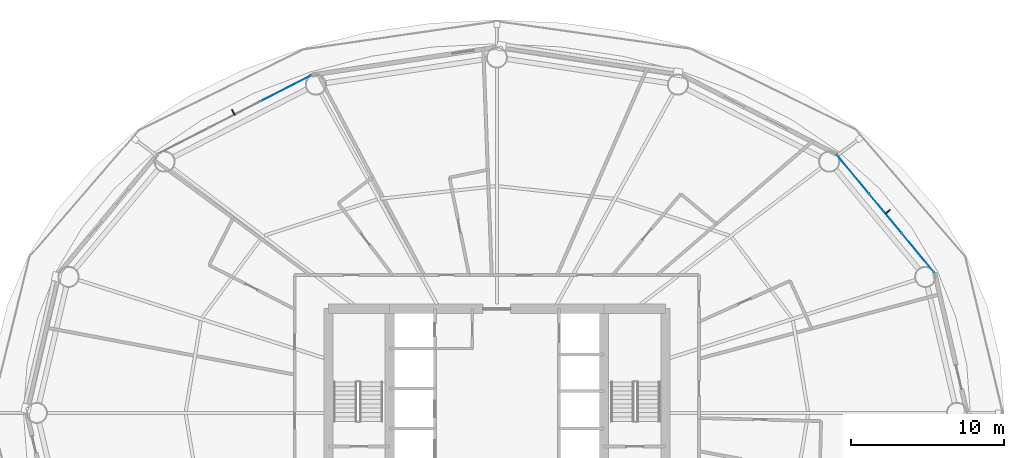
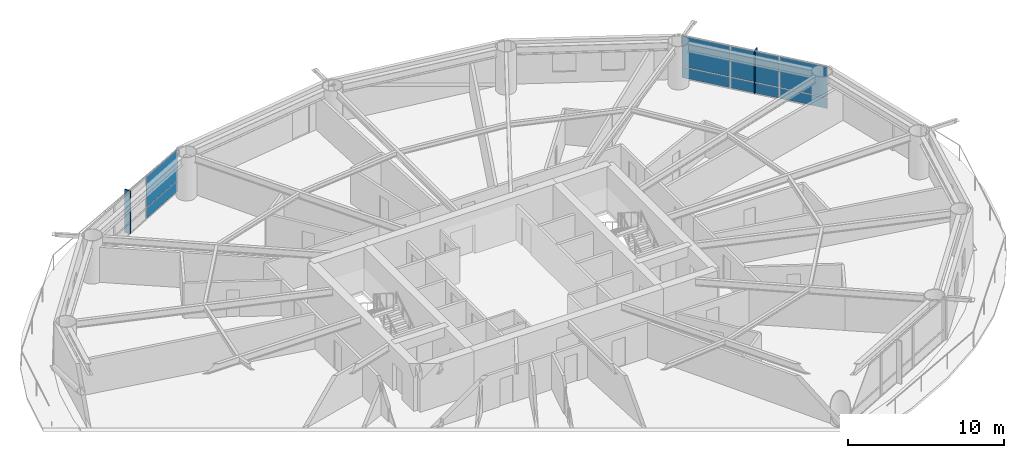
# One storey, part 18 of 26: 10 plates, 2 elements without a shape of their own.
"""IFC4 building model written with IfcOpenShell, lengths in metres."""

from ifc_helpers import new_model, si_unit, direction, frame, origin, origin_2d, place, context, subcontext, project, spatial, rectangle, extrude, material, layer, layer_set, type_object, element, aggregate, save


model = new_model("IFC4")

# Units and contexts
model_context = context("Model", 3, precision=1e-05, world=origin(), true_north=direction((0.0, 1.0)))
body_context = subcontext(model_context, "Body", "Model", "MODEL_VIEW")
ifc_project = project(units=[si_unit("LENGTHUNIT", "METRE"), si_unit("AREAUNIT", "SQUARE_METRE"), si_unit("VOLUMEUNIT", "CUBIC_METRE"), si_unit("PLANEANGLEUNIT", "RADIAN"), si_unit("MASSUNIT", "GRAM", prefix="KILO")], contexts=[model_context])

# Site, building, storey
site_placement = place(None, origin())
site = spatial("IfcSite", under=ifc_project, at=site_placement, CompositionType="ELEMENT")
building_placement = place(site_placement, origin())
building = spatial("IfcBuilding", under=site, at=building_placement, Name="Sarneth Arch Tower", CompositionType="ELEMENT")
storey_placement = place(building_placement, frame((0.0, 0.0, 39.0)))
storey = spatial("IfcBuildingStorey", under=building, at=storey_placement, Name="L08", CompositionType="ELEMENT", Elevation=39.0)

# Curtain wall, plates
ifc_material_1 = material(Name="Anodised aluminium Type AA25 and solar-control low-e laminated IGU", Category="aluminium")
ifc_layer_1 = layer(ifc_material_1, 0.159912109375)
ifc_layer_set_1 = layer_set([ifc_layer_1], Name="Anodised aluminium Type AA25 and solar-control low-e laminated IGU")
curtain_wall_type = type_object("IfcCurtainWallType", Name="CW-HOTEL-LOW", PredefinedType="NOTDEFINED", material=ifc_layer_set_1)
curtain_wall_1_placement = place(storey_placement, origin())
curtain_wall_1 = element("IfcCurtainWall", 1, at=curtain_wall_1_placement, inside=storey, type_object=curtain_wall_type, Name="L08 Unitised curtain wall facet 02", PredefinedType="NOTDEFINED")
ifc_material_2 = material(Name="Solar-control low-e laminated IGU", Category="glass")
ifc_layer_2 = layer(ifc_material_2, 0.028076171875)
ifc_layer_set_2 = layer_set([ifc_layer_2], Name="Solar-control low-e laminated IGU")
plate_type_1 = type_object("IfcPlateType", Name="CW-PANEL", PredefinedType="CURTAIN_PANEL", material=ifc_layer_set_2)
plate_1_placement = place(storey_placement, frame((75.503662109375, 52.441162109375, 0.06005859375), z_axis=(0.0, 0.0, 1.0), x_axis=(-0.637291340827, 0.770622960278, 0.0)))
plate_1 = element("IfcPlate", 2, at=plate_1_placement, type_object=plate_type_1, Name="Curtain wall glazed vision pane CW-L08-F02/P00-00", PredefinedType="CURTAIN_PANEL", context=body_context, shape_type="SweptSolid", body=[
    extrude(rectangle(XDim=3.260986328125, YDim=0.028076171875, at=origin_2d()), origin(), (0.0, 0.0, 1.0), 0.81005859375),
])
plate_2_placement = place(storey_placement, frame((75.503662109375, 52.441162109375, 0.93017578125), z_axis=(0.0, 0.0, 1.0), x_axis=(-0.637291340827, 0.770622960278, 0.0)))
plate_2 = element("IfcPlate", 3, at=plate_2_placement, type_object=plate_type_1, Name="Curtain wall glazed vision pane CW-L08-F02/P00-01", PredefinedType="CURTAIN_PANEL", context=body_context, shape_type="SweptSolid", body=[
    extrude(rectangle(XDim=3.260986328125, YDim=0.028076171875, at=origin_2d()), origin(), (0.0, 0.0, 1.0), 2.389892578125),
])
plate_3_placement = place(storey_placement, frame((73.37744140625, 55.01220703125, 0.06005859375), z_axis=(0.0, 0.0, 1.0), x_axis=(-0.637291340827, 0.770622960278, 0.0)))
plate_3 = element("IfcPlate", 4, at=plate_3_placement, type_object=plate_type_1, Name="Curtain wall glazed vision pane CW-L08-F02/P01-00", PredefinedType="CURTAIN_PANEL", context=body_context, shape_type="SweptSolid", body=[
    extrude(rectangle(XDim=3.291015625, YDim=0.028076171875, at=origin_2d()), origin(), (0.0, 0.0, 1.0), 0.81005859375),
])
plate_4_placement = place(storey_placement, frame((73.37744140625, 55.01220703125, 0.93017578125), z_axis=(0.0, 0.0, 1.0), x_axis=(-0.637291340827, 0.770622960278, 0.0)))
plate_4 = element("IfcPlate", 5, at=plate_4_placement, type_object=plate_type_1, Name="Curtain wall glazed vision pane CW-L08-F02/P01-01", PredefinedType="CURTAIN_PANEL", context=body_context, shape_type="SweptSolid", body=[
    extrude(rectangle(XDim=3.291015625, YDim=0.028076171875, at=origin_2d()), origin(), (0.0, 0.0, 1.0), 2.389892578125),
])
plate_5_placement = place(storey_placement, frame((71.25146484375, 57.5830078125, 0.06005859375), z_axis=(0.0, 0.0, 1.0), x_axis=(-0.637291340827, 0.770622960278, 0.0)))
plate_5 = element("IfcPlate", 6, at=plate_5_placement, type_object=plate_type_1, Name="Curtain wall glazed vision pane CW-L08-F02/P02-00", PredefinedType="CURTAIN_PANEL", context=body_context, shape_type="SweptSolid", body=[
    extrude(rectangle(XDim=3.260986328125, YDim=0.028076171875, at=origin_2d()), origin(), (0.0, 0.0, 1.0), 0.81005859375),
])
plate_6_placement = place(storey_placement, frame((71.25146484375, 57.5830078125, 0.93017578125), z_axis=(0.0, 0.0, 1.0), x_axis=(-0.637291340827, 0.770622960278, 0.0)))
plate_6 = element("IfcPlate", 7, at=plate_6_placement, type_object=plate_type_1, Name="Curtain wall glazed vision pane CW-L08-F02/P02-01", PredefinedType="CURTAIN_PANEL", context=body_context, shape_type="SweptSolid", body=[
    extrude(rectangle(XDim=3.260986328125, YDim=0.028076171875, at=origin_2d()), origin(), (0.0, 0.0, 1.0), 2.389892578125),
])
aggregate(curtain_wall_1, [plate_1, plate_2, plate_3, plate_4, plate_5, plate_6])

curtain_wall_2_placement = place(storey_placement, origin())
curtain_wall_2 = element("IfcCurtainWall", 8, at=curtain_wall_2_placement, inside=storey, type_object=curtain_wall_type, Name="L08 Unitised curtain wall facet 06", PredefinedType="NOTDEFINED")
plate_7_placement = place(storey_placement, frame((34.22607421875, 63.192626953125, 0.06005859375), z_axis=(0.0, 0.0, 1.0), x_axis=(-0.889854100456, -0.456245197127, 0.0)))
plate_7 = element("IfcPlate", 9, at=plate_7_placement, type_object=plate_type_1, Name="Curtain wall glazed vision pane CW-L08-F06/P00-00", PredefinedType="CURTAIN_PANEL", context=body_context, shape_type="SweptSolid", body=[
    extrude(rectangle(XDim=3.69189453125, YDim=0.028076171875, at=origin_2d()), origin(), (0.0, 0.0, 1.0), 0.81005859375),
])
plate_8_placement = place(storey_placement, frame((34.22607421875, 63.192626953125, 0.93017578125), z_axis=(0.0, 0.0, 1.0), x_axis=(-0.889854100456, -0.456245197127, 0.0)))
plate_8 = element("IfcPlate", 10, at=plate_8_placement, type_object=plate_type_1, Name="Curtain wall glazed vision pane CW-L08-F06/P00-01", PredefinedType="CURTAIN_PANEL", context=body_context, shape_type="SweptSolid", body=[
    extrude(rectangle(XDim=3.69189453125, YDim=0.028076171875, at=origin_2d()), origin(), (0.0, 0.0, 1.0), 2.389892578125),
])
aggregate(curtain_wall_2, [plate_7, plate_8])

# Plates
ifc_material_3 = material(Name="Extruded glazed terracotta baguette fin on Aluminium 6063-T6 carrier", Category="masonry")
ifc_layer_3 = layer(ifc_material_3, 0.080078125)
ifc_layer_set_3 = layer_set([ifc_layer_3], Name="Extruded glazed terracotta baguette fin on Aluminium 6063-T6 carrier")
plate_type_2 = type_object("IfcPlateType", Name="SHADE-TERRA-FIN", PredefinedType="SHEET", material=ifc_layer_set_3)
for number, where, z_axis, x_axis, name in (
    (11, (73.508544921875, 55.120361328125, 0.009765625), (0.0, 0.0, 1.0), (0.770624482513, 0.637289500111, 0.0), "L08 Terracotta vertical shading fin 02"),
    (12, (30.79638671875, 61.625244140625, 0.009765625), (0.0, 0.0, 1.0), (-0.4563215909, 0.889814927768, 0.0), "L08 Terracotta vertical shading fin 06"),
):
    element("IfcPlate", number, at=place(storey_placement, frame(where, z_axis=z_axis, x_axis=x_axis)), inside=storey, type_object=plate_type_2, Name=name, PredefinedType="SHEET", context=body_context, shape_type="SweptSolid", body=[
        extrude(rectangle(XDim=0.419921875, YDim=0.080078125, at=origin_2d()), origin(), (0.0, 0.0, 1.0), 3.360107421875),
    ])

save(model, "model.ifc")
